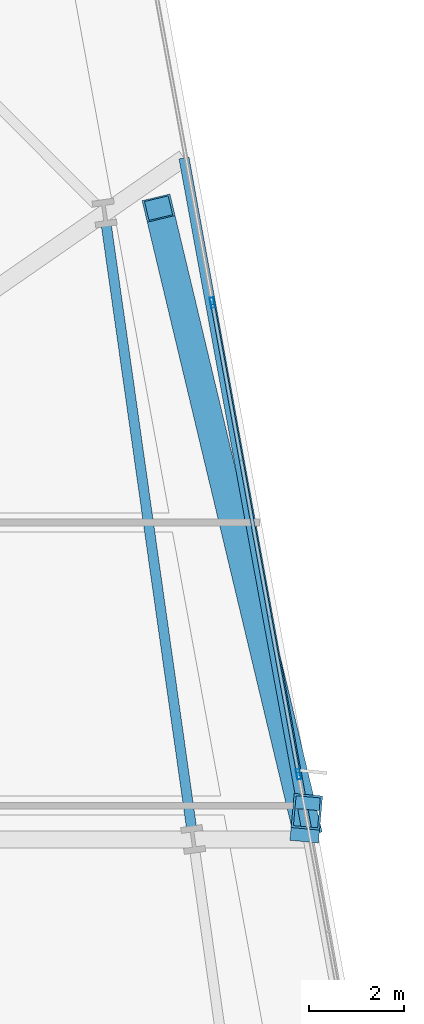
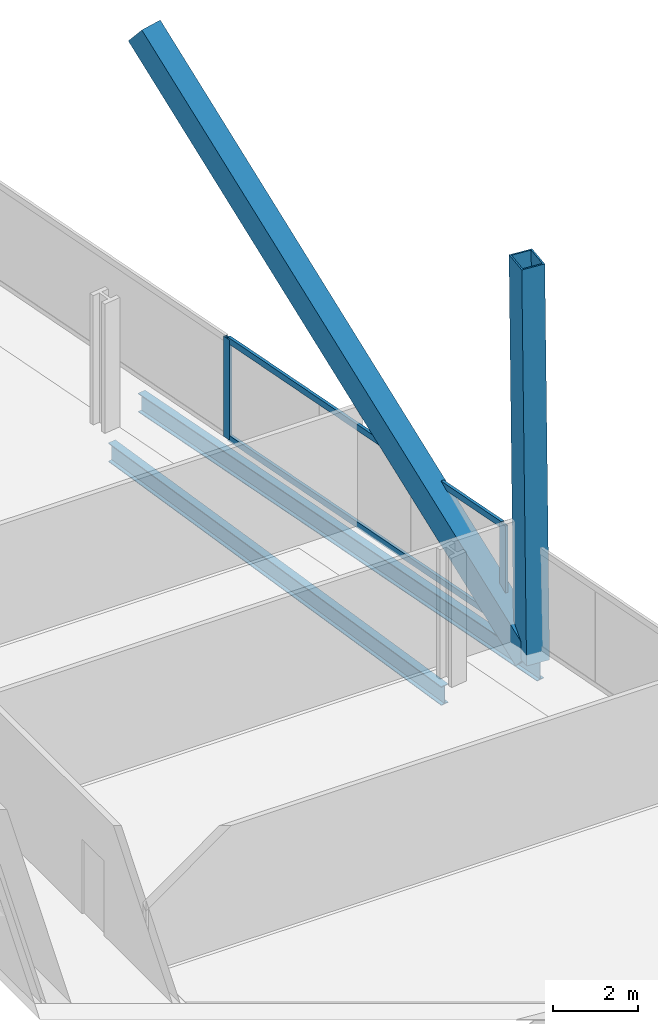
# One storey, part 21 of 34: 6 members, 2 beams, 1 element without a shape of its own.
"""IFC4 building model written with IfcOpenShell, lengths in metres."""

from ifc_helpers import new_model, si_unit, direction, frame, origin, origin_2d, place, context, subcontext, project, spatial, hollow_rectangle, i_section, extrude, material, material_profile, profile_set, type_object, element, aggregate, save


model = new_model("IFC4")

# Units and contexts
model_context = context("Model", 3, precision=1e-05, world=origin(), true_north=direction((0.0, 1.0)))
body_context = subcontext(model_context, "Body", "Model", "MODEL_VIEW")
ifc_project = project(units=[si_unit("LENGTHUNIT", "METRE"), si_unit("AREAUNIT", "SQUARE_METRE"), si_unit("VOLUMEUNIT", "CUBIC_METRE"), si_unit("PLANEANGLEUNIT", "RADIAN"), si_unit("MASSUNIT", "GRAM", prefix="KILO")], contexts=[model_context])

# Site, building, storey
site_placement = place(None, origin())
site = spatial("IfcSite", under=ifc_project, at=site_placement, CompositionType="ELEMENT")
building_placement = place(site_placement, origin())
building = spatial("IfcBuilding", under=site, at=building_placement, Name="Haldenkirk Collegiate Tower", CompositionType="ELEMENT")
storey_placement = place(building_placement, frame((0.0, 0.0, 62.699951171875)))
storey = spatial("IfcBuildingStorey", under=building, at=storey_placement, Name="L14", CompositionType="ELEMENT", Elevation=62.699951171875)

# Beams
ifc_material_1 = material(Name="Steel ASTM A992 Grade 50", Category="steel")
ifc_material_profile_1 = material_profile(ifc_material_1, i_section(OverallWidth=0.2119140625, OverallDepth=0.5439453125, WebThickness=0.01318359375, FlangeThickness=0.021240234375, at=origin_2d()), Name="W21X83")
ifc_profile_set_1 = profile_set([ifc_material_profile_1], Name="Steel ASTM A992 Grade 50")
beam_type = type_object("IfcBeamType", Name="BM-SPANDREL-W21X83", PredefinedType="SPANDREL", material=ifc_profile_set_1)
beam_1_placement = place(storey_placement, frame((59.716552734375, 30.050537109375, -0.58203125), z_axis=(-0.140052642207, 0.990144058918, 0.0), x_axis=(-0.990144058918, -0.140052642207, 0.0)))
element("IfcBeam", 1, at=beam_1_placement, inside=storey, type_object=beam_type, Name="L14 perimeter spandrel beam 07", PredefinedType="SPANDREL", context=body_context, shape_type="SweptSolid", body=[
    extrude(i_section(OverallWidth=0.2119140625, OverallDepth=0.5439453125, WebThickness=0.01318359375, FlangeThickness=0.021240234375, at=origin_2d()), origin(), (0.0, 0.0, 1.0), 12.761962890625),
])
beam_2_placement = place(storey_placement, frame((62.17529296875, 29.788818359375, -0.58203125), z_axis=(-0.179669209535, 0.98372708367, 0.0), x_axis=(-0.98372708367, -0.179669209535, 0.0)))
element("IfcBeam", 2, at=beam_2_placement, inside=storey, type_object=beam_type, Name="L14 outer facade edge beam 2B", PredefinedType="SPANDREL", context=body_context, shape_type="SweptSolid", body=[
    extrude(i_section(OverallWidth=0.2119140625, OverallDepth=0.5439453125, WebThickness=0.01318359375, FlangeThickness=0.021240234375, at=origin_2d()), origin(), (0.0, 0.0, 1.0), 14.554443359375),
])

# Curtain wall, members
ifc_material_2 = material(Name="Anodised architectural bronze aluminium", Category="aluminium")
curtain_wall_type = type_object("IfcCurtainWallType", Name="CW-SYS1-CONVEX-LOW", PredefinedType="USERDEFINED", material=ifc_material_2)
curtain_wall_placement = place(storey_placement, origin())
curtain_wall = element("IfcCurtainWall", 3, at=curtain_wall_placement, inside=storey, type_object=curtain_wall_type, Name="L14 Lower tower convex bronze-framed unitised curtain wall", ObjectType="UNITISED CURTAIN WALL", PredefinedType="USERDEFINED")
ifc_material_profile_2 = material_profile(ifc_material_2, hollow_rectangle(XDim=0.080078125, YDim=0.219970703125, WallThickness=0.0048828125, at=origin_2d()), Name="CW-MUL-1A")
ifc_profile_set_2 = profile_set([ifc_material_profile_2], Name="Anodised architectural bronze aluminium")
member_type_1 = type_object("IfcMemberType", Name="CW-MUL-1A", PredefinedType="MULLION", material=ifc_profile_set_2)
member_1_placement = place(storey_placement, frame((60.15625, 41.06640625, 0.0), z_axis=(0.0, 0.0, 1.0), x_axis=(0.983728214276, 0.179663019113, 0.0)))
member_1 = element("IfcMember", 4, at=member_1_placement, type_object=member_type_1, Name="CW-1A mullion 2", PredefinedType="MULLION", context=body_context, shape_type="SweptSolid", body=[
    extrude(hollow_rectangle(XDim=0.080078125, YDim=0.219970703125, WallThickness=0.0048828125, at=origin_2d()), origin(), (0.0, 0.0, 1.0), 2.89111328125),
])
member_2_placement = place(storey_placement, frame((61.965087890625, 31.161376953125, 0.0), z_axis=(0.0, 0.0, 1.0), x_axis=(0.983728214276, 0.179663019113, 0.0)))
member_2 = element("IfcMember", 5, at=member_2_placement, type_object=member_type_1, Name="CW-1A mullion 3", PredefinedType="MULLION", context=body_context, shape_type="SweptSolid", body=[
    extrude(hollow_rectangle(XDim=0.080078125, YDim=0.219970703125, WallThickness=0.0048828125, at=origin_2d()), origin(), (0.0, 0.0, 1.0), 2.89111328125),
])
ifc_material_profile_3 = material_profile(ifc_material_2, hollow_rectangle(XDim=0.080078125, YDim=0.179931640625, WallThickness=0.0048828125, at=origin_2d()), Name="CW-TRN-1A")
ifc_profile_set_3 = profile_set([ifc_material_profile_3], Name="Anodised architectural bronze aluminium")
member_type_2 = type_object("IfcMemberType", Name="CW-TRN-1A", PredefinedType="USERDEFINED", material=ifc_profile_set_3)
member_3_placement = place(storey_placement, frame((60.163330078125, 41.02685546875, 0.0400390625), z_axis=(0.179670446514, -0.983726857745, 0.0), x_axis=(0.983726857745, 0.179670446514, 0.0)))
member_3 = element("IfcMember", 6, at=member_3_placement, type_object=member_type_2, Name="CW-1A transom 2.1", ObjectType="TRANSOM", PredefinedType="USERDEFINED", context=body_context, shape_type="SweptSolid", body=[
    extrude(hollow_rectangle(XDim=0.080078125, YDim=0.179931640625, WallThickness=0.0048828125, at=origin_2d()), origin(), (0.0, 0.0, 1.0), 9.98876953125),
])
member_4_placement = place(storey_placement, frame((60.163330078125, 41.02685546875, 2.85107421875), z_axis=(0.179670446514, -0.983726857745, 0.0), x_axis=(0.983726857745, 0.179670446514, 0.0)))
member_4 = element("IfcMember", 7, at=member_4_placement, type_object=member_type_2, Name="CW-1A transom 2.2", ObjectType="TRANSOM", PredefinedType="USERDEFINED", context=body_context, shape_type="SweptSolid", body=[
    extrude(hollow_rectangle(XDim=0.080078125, YDim=0.179931640625, WallThickness=0.0048828125, at=origin_2d()), origin(), (0.0, 0.0, 1.0), 9.98876953125),
])
aggregate(curtain_wall, [member_1, member_2, member_3, member_4])

# Members
ifc_material_3 = material(Name="Steel ASTM A572 Grade 50", Category="steel")
ifc_material_profile_4 = material_profile(ifc_material_3, hollow_rectangle(XDim=0.60009765625, YDim=0.719970703125, WallThickness=0.044921875, at=origin_2d()), Name="BOX720X600X45")
ifc_profile_set_4 = profile_set([ifc_material_profile_4], Name="Steel ASTM A572 Grade 50")
member_type_3 = type_object("IfcMemberType", Name="MBR-MEGABRACE-BOX720X600X45", PredefinedType="BRACE", material=ifc_profile_set_4)
member_5_placement = place(storey_placement, frame((62.11767578125, 30.103515625, -0.320068359375), z_axis=(0.002147823996, 0.023799625486, 0.999714441568), x_axis=(-0.995952524759, 0.089880856838, 0.0)))
element("IfcMember", 8, at=member_5_placement, inside=storey, type_object=member_type_3, Name="Perimeter Mega Brace Z1 L14-L16 EL", PredefinedType="BRACE", context=body_context, shape_type="SweptSolid", body=[
    extrude(hollow_rectangle(XDim=0.60009765625, YDim=0.719970703125, WallThickness=0.044921875, at=origin_2d()), origin(), (0.0, 0.0, 1.0), 11.253173828125),
])
member_6_placement = place(storey_placement, frame((62.11767578125, 30.103515625, -0.320068359375), z_axis=(-0.177332140389, 0.742971386075, 0.64540439374), x_axis=(-0.972677985893, -0.232158428145, 0.0)))
element("IfcMember", 9, at=member_6_placement, inside=storey, type_object=member_type_3, Name="Perimeter Mega Brace Z1 L14-L16 ER", PredefinedType="BRACE", context=body_context, shape_type="SweptSolid", body=[
    extrude(hollow_rectangle(XDim=0.60009765625, YDim=0.719970703125, WallThickness=0.044921875, at=origin_2d()), origin(), (0.0, 0.0, 1.0), 17.430908203125),
])

save(model, "model.ifc")
